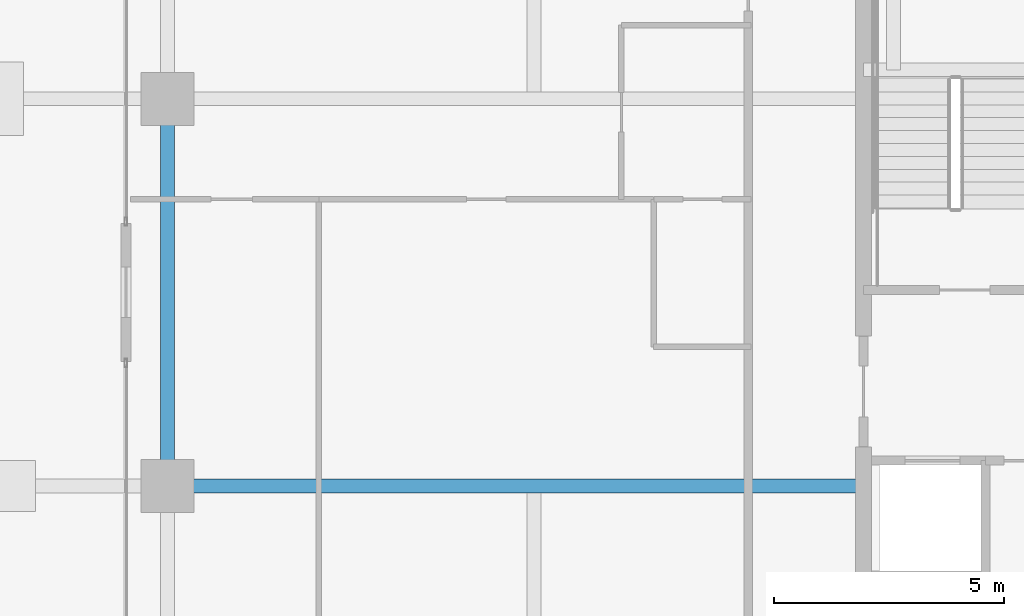
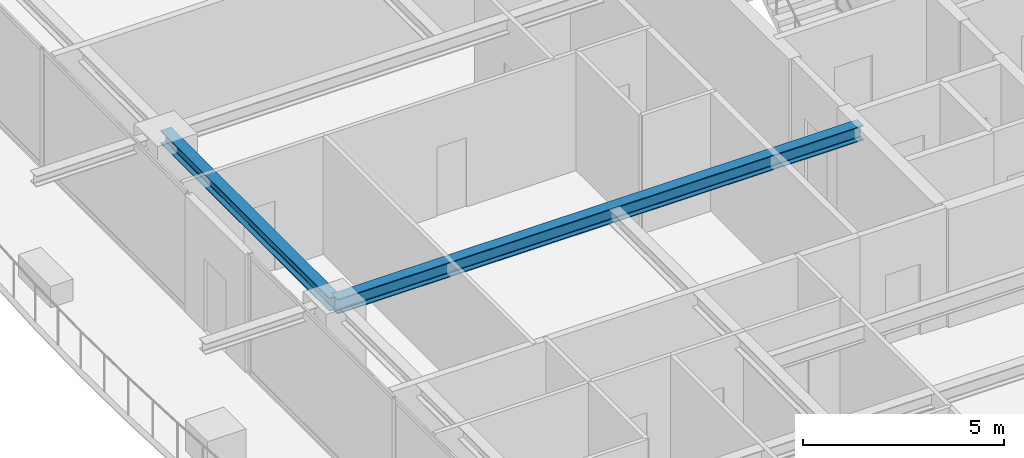
# One storey, part 9 of 40: 2 beams.
"""IFC4 building model written with IfcOpenShell, lengths in metres."""

from ifc_helpers import new_model, si_unit, direction, frame, origin, origin_2d, place, context, subcontext, project, spatial, i_section, extrude, source, transform, mapped, material, material_profile, profile_set, type_object, element, save


model = new_model("IFC4")

# Units and contexts
model_context = context("Model", 3, precision=1e-05, world=origin(), true_north=direction((0.0, 1.0)))
body_context = subcontext(model_context, "Body", "Model", "MODEL_VIEW")
ifc_project = project(units=[si_unit("LENGTHUNIT", "METRE"), si_unit("AREAUNIT", "SQUARE_METRE"), si_unit("VOLUMEUNIT", "CUBIC_METRE"), si_unit("PLANEANGLEUNIT", "RADIAN"), si_unit("MASSUNIT", "GRAM", prefix="KILO")], contexts=[model_context])

# Site, building, storey
site_placement = place(None, origin())
site = spatial("IfcSite", under=ifc_project, at=site_placement, CompositionType="ELEMENT")
building_placement = place(site_placement, origin())
building = spatial("IfcBuilding", under=site, at=building_placement, Name="Serunith Strait Residences", CompositionType="ELEMENT")
storey_placement = place(building_placement, frame((0.0, 0.0, 252.800048828125)))
storey = spatial("IfcBuildingStorey", under=building, at=storey_placement, Name="L63", CompositionType="ELEMENT", Elevation=252.800048828125)

# Beams
ifc_material = material(Name="Steel S355J2", Category="steel")
ifc_material_profile_1 = material_profile(ifc_material, i_section(OverallWidth=0.300048828125, OverallDepth=0.449951171875, WebThickness=0.013916015625, FlangeThickness=0.02587890625, FilletRadius=0.027099609375, at=origin_2d()), Name="HEB 450")
ifc_profile_set_1 = profile_set([ifc_material_profile_1], Name="Steel S355J2")
beam_type_1 = type_object("IfcBeamType", Name="BM-HEB450", PredefinedType="BEAM", material=ifc_profile_set_1)
shared_shape_1 = source(origin(), body_context, "Body", "SweptSolid", [
    extrude(i_section(OverallWidth=0.300048828125, OverallDepth=0.449951171875, WebThickness=0.013916015625, FlangeThickness=0.02587890625, FilletRadius=0.027099609375, at=origin_2d()), origin(), (0.0, 0.0, 1.0), 15.099853515625),
])
beam_1_placement = place(storey_placement, frame((23.39990234375, 21.0, 3.362060546875), z_axis=(-1.0, 0.0, 0.0), x_axis=(0.0, -1.0, 0.0)))
element("IfcBeam", 1, at=beam_1_placement, inside=storey, type_object=beam_type_1, Name="L63 Primary Floor Girder TC-W2", PredefinedType="BEAM", context=body_context, shape_type="MappedRepresentation", body=[
    mapped(shared_shape_1, transform((0.0, 0.0, 0.0), scale=1.0)),
])
ifc_material_profile_2 = material_profile(ifc_material, i_section(OverallWidth=0.300048828125, OverallDepth=0.39990234375, WebThickness=0.013427734375, FlangeThickness=0.02392578125, FilletRadius=0.027099609375, at=origin_2d()), Name="HEB 400")
ifc_profile_set_2 = profile_set([ifc_material_profile_2], Name="Steel S355J2")
beam_type_2 = type_object("IfcBeamType", Name="BM-HEB400", PredefinedType="BEAM", material=ifc_profile_set_2)
shared_shape_2 = source(origin(), body_context, "Body", "SweptSolid", [
    extrude(i_section(OverallWidth=0.300048828125, OverallDepth=0.39990234375, WebThickness=0.013427734375, FlangeThickness=0.02392578125, FilletRadius=0.027099609375, at=origin_2d()), origin(), (0.0, 0.0, 1.0), 8.39990234375),
])
beam_2_placement = place(storey_placement, frame((8.300048828125, 29.39990234375, 3.386962890625), z_axis=(0.0, -1.0, 0.0), x_axis=(1.0, 0.0, 0.0)))
element("IfcBeam", 2, at=beam_2_placement, inside=storey, type_object=beam_type_2, Name="L63 Perimeter Ring Beam 14", PredefinedType="BEAM", context=body_context, shape_type="MappedRepresentation", body=[
    mapped(shared_shape_2, transform((0.0, 0.0, 0.0), scale=1.0)),
])

save(model, "model.ifc")
